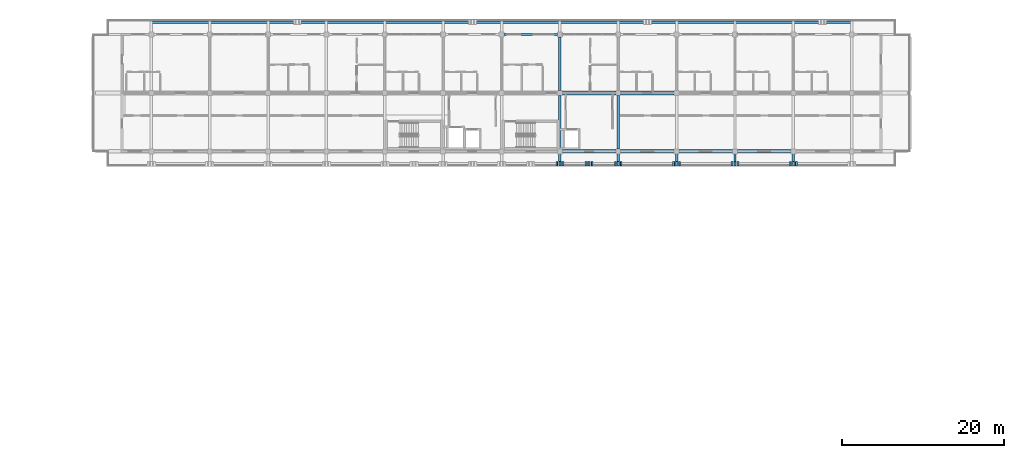
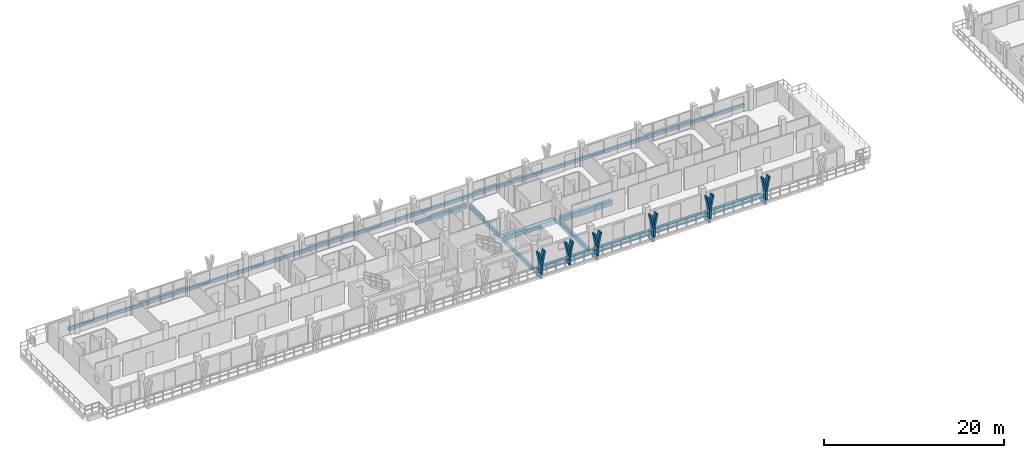
# One storey, part 14 of 67: 18 members, 16 beams.
"""IFC4 building model written with IfcOpenShell, lengths in metres."""

from ifc_helpers import new_model, si_unit, direction, frame, origin, origin_2d, place, context, subcontext, project, spatial, rectangle, extrude, material, material_profile, profile_set, type_object, element, save


model = new_model("IFC4")

# Units and contexts
model_context = context("Model", 3, precision=1e-05, world=origin(), true_north=direction((0.0, 1.0)))
body_context = subcontext(model_context, "Body", "Model", "MODEL_VIEW")
ifc_project = project(units=[si_unit("LENGTHUNIT", "METRE"), si_unit("AREAUNIT", "SQUARE_METRE"), si_unit("VOLUMEUNIT", "CUBIC_METRE"), si_unit("PLANEANGLEUNIT", "RADIAN"), si_unit("MASSUNIT", "GRAM", prefix="KILO")], contexts=[model_context])

# Site, building, storey
site_placement = place(None, origin())
site = spatial("IfcSite", under=ifc_project, at=site_placement, CompositionType="ELEMENT")
building_placement = place(site_placement, origin())
building = spatial("IfcBuilding", under=site, at=building_placement, Name="Suanplinth Sawtooth Commons", CompositionType="ELEMENT")
storey_placement = place(building_placement, frame((0.0, 0.0, 25.10009765625)))
storey = spatial("IfcBuildingStorey", under=building, at=storey_placement, Name="L07", CompositionType="ELEMENT", Elevation=25.10009765625)

# Beams
ifc_material_1 = material(Name="Precast concrete C40/50", Category="concrete")
ifc_material_profile_1 = material_profile(ifc_material_1, rectangle(XDim=0.449951171875, YDim=0.64990234375, at=origin_2d()), Name="PC-GDR 450x650")
ifc_profile_set_1 = profile_set([ifc_material_profile_1], Name="Precast concrete C40/50")
beam_type_1 = type_object("IfcBeamType", Name="B-04", PredefinedType="USERDEFINED", material=ifc_profile_set_1)
for number, where, z_axis, x_axis, name in (
    (1, (65.10009765625, 108.0, -0.545166015625), (1.0, 0.0, 0.0), (0.0, 1.0, 0.0), "BMX-L07-A-9-15"),
    (2, (65.10009765625, 115.199951171875, -0.545166015625), (1.0, 0.0, 0.0), (0.0, 1.0, 0.0), "BMX-L07-A-9-16"),
    (3, (72.300048828125, 108.0, -0.545166015625), (1.0, 0.0, 0.0), (0.0, 1.0, 0.0), "BMX-L07-A-10-15"),
    (4, (72.300048828125, 115.199951171875, -0.545166015625), (1.0, 0.0, 0.0), (0.0, 1.0, 0.0), "BMX-L07-A-10-16"),
):
    element("IfcBeam", number, at=place(storey_placement, frame(where, z_axis=z_axis, x_axis=x_axis)), inside=storey, type_object=beam_type_1, Name=name, ObjectType="GIRDER", PredefinedType="USERDEFINED", context=body_context, shape_type="SweptSolid", body=[
        extrude(rectangle(XDim=0.449951171875, YDim=0.64990234375, at=origin_2d()), origin(), (0.0, 0.0, 1.0), 6.599853515625),
    ])
for number, where, z_axis, x_axis, name in (
    (5, (79.5, 108.0, -0.545166015625), (1.0, 0.0, 0.0), (0.0, 1.0, 0.0), "BMX-L07-A-11-15"),
    (6, (86.699951171875, 108.0, -0.545166015625), (1.0, 0.0, 0.0), (0.0, 1.0, 0.0), "BMX-L07-A-12-15"),
):
    element("IfcBeam", number, at=place(storey_placement, frame(where, z_axis=z_axis, x_axis=x_axis)), inside=storey, type_object=beam_type_1, Name=name, ObjectType="GIRDER", PredefinedType="USERDEFINED", context=body_context, shape_type="SweptSolid", body=[
        extrude(rectangle(XDim=0.449951171875, YDim=0.64990234375, at=origin_2d()), origin(), (0.0, 0.0, 1.0), 6.60009765625),
    ])
ifc_material_profile_2 = material_profile(ifc_material_1, rectangle(XDim=0.300048828125, YDim=0.5, at=origin_2d()), Name="PC-BM 300x500")
ifc_profile_set_2 = profile_set([ifc_material_profile_2], Name="Precast concrete C40/50")
beam_type_2 = type_object("IfcBeamType", Name="B-07", PredefinedType="BEAM", material=ifc_profile_set_2)
beam_1_placement = place(storey_placement, frame((64.800048828125, 108.300048828125, -0.47021484375), z_axis=(0.0, 1.0, 0.0), x_axis=(-1.0, 0.0, 0.0)))
element("IfcBeam", 7, at=beam_1_placement, inside=storey, type_object=beam_type_2, Name="BMY-L07-A-9-15", PredefinedType="BEAM", context=body_context, shape_type="SweptSolid", body=[
    extrude(rectangle(XDim=0.300048828125, YDim=0.5, at=origin_2d()), origin(), (0.0, 0.0, 1.0), 6.599853515625),
])
beam_2_placement = place(storey_placement, frame((64.800048828125, 115.5, -0.47021484375), z_axis=(0.0, 1.0, 0.0), x_axis=(-1.0, 0.0, 0.0)))
element("IfcBeam", 8, at=beam_2_placement, inside=storey, type_object=beam_type_2, Name="BMY-L07-A-9-16", PredefinedType="BEAM", context=body_context, shape_type="SweptSolid", body=[
    extrude(rectangle(XDim=0.300048828125, YDim=0.5, at=origin_2d()), origin(), (0.0, 0.0, 1.0), 6.60009765625),
])
beam_3_placement = place(storey_placement, frame((72.0, 108.300048828125, -0.47021484375), z_axis=(0.0, 1.0, 0.0), x_axis=(-1.0, 0.0, 0.0)))
element("IfcBeam", 9, at=beam_3_placement, inside=storey, type_object=beam_type_2, Name="BMY-L07-A-10-15", PredefinedType="BEAM", context=body_context, shape_type="SweptSolid", body=[
    extrude(rectangle(XDim=0.300048828125, YDim=0.5, at=origin_2d()), origin(), (0.0, 0.0, 1.0), 6.599853515625),
])
for number, where, z_axis, x_axis, name in (
    (10, (64.800048828125, 108.0, -0.43017578125), (0.0, -1.0, 0.0), (1.0, 0.0, 0.0), "Balcony Outrigger L07-A-S-9"),
    (11, (72.0, 108.0, -0.43017578125), (0.0, -1.0, 0.0), (1.0, 0.0, 0.0), "Balcony Outrigger L07-A-S-10"),
    (12, (79.199951171875, 108.0, -0.43017578125), (0.0, -1.0, 0.0), (1.0, 0.0, 0.0), "Balcony Outrigger L07-A-S-11"),
    (13, (86.39990234375, 108.0, -0.43017578125), (0.0, -1.0, 0.0), (1.0, 0.0, 0.0), "Balcony Outrigger L07-A-S-12"),
    (14, (93.60009765625, 108.0, -0.43017578125), (0.0, -1.0, 0.0), (1.0, 0.0, 0.0), "Balcony Outrigger L07-A-S-13"),
):
    element("IfcBeam", number, at=place(storey_placement, frame(where, z_axis=z_axis, x_axis=x_axis)), inside=storey, type_object=beam_type_2, Name=name, PredefinedType="BEAM", context=body_context, shape_type="SweptSolid", body=[
        extrude(rectangle(XDim=0.300048828125, YDim=0.5, at=origin_2d()), origin(), (0.0, 0.0, 1.0), 1.639892578125),
    ])
ifc_material_profile_3 = material_profile(ifc_material_1, rectangle(XDim=0.25, YDim=0.449951171875, at=origin_2d()), Name="PC-SP 250x450")
ifc_profile_set_3 = profile_set([ifc_material_profile_3], Name="Precast concrete C40/50")
beam_type_3 = type_object("IfcBeamType", Name="B-09", PredefinedType="SPANDREL", material=ifc_profile_set_3)
beam_4_placement = place(storey_placement, frame((57.89990234375, 122.39990234375, -0.445068359375), z_axis=(1.0, 0.0, 0.0), x_axis=(0.0, 1.0, 0.0)))
element("IfcBeam", 15, at=beam_4_placement, inside=storey, type_object=beam_type_3, Name="BMX-L07-A-8-17", PredefinedType="SPANDREL", context=body_context, shape_type="SweptSolid", body=[
    extrude(rectangle(XDim=0.25, YDim=0.449951171875, at=origin_2d()), origin(), (0.0, 0.0, 1.0), 6.60009765625),
])
beam_5_placement = place(storey_placement, frame((14.25, 123.919921875, -0.405029296875), z_axis=(1.0, 0.0, 0.0), x_axis=(0.0, 1.0, 0.0)))
element("IfcBeam", 16, at=beam_5_placement, inside=storey, type_object=beam_type_3, Name="Balcony Edge Fascia L07-A-N", PredefinedType="SPANDREL", context=body_context, shape_type="SweptSolid", body=[
    extrude(rectangle(XDim=0.25, YDim=0.449951171875, at=origin_2d()), origin(), (0.0, 0.0, 1.0), 86.699951171875),
])

# Members
ifc_material_2 = material(Name="Pigmented precast concrete C40/50", Category="concrete")
ifc_material_profile_4 = material_profile(ifc_material_2, rectangle(XDim=0.260009765625, YDim=0.550048828125, at=origin_2d()), Name="PC-FIN 260x550")
ifc_profile_set_4 = profile_set([ifc_material_profile_4], Name="Pigmented precast concrete C40/50")
member_type_1 = type_object("IfcMemberType", Name="M-09", PredefinedType="USERDEFINED", material=ifc_profile_set_4)
for number, where, z_axis, x_axis, name in (
    (17, (64.800048828125, 106.47998046875, 0.0), (0.0, 0.0, 1.0), (1.0, 0.0, 0.0), "Y-Blade Stem L07-A-S-15"),
    (18, (68.39990234375, 106.47998046875, 0.0), (0.0, 0.0, 1.0), (1.0, 0.0, 0.0), "Y-Blade Stem L07-A-S-16"),
    (19, (72.0, 106.47998046875, 0.0), (0.0, 0.0, 1.0), (1.0, 0.0, 0.0), "Y-Blade Stem L07-A-S-17"),
    (20, (79.199951171875, 106.47998046875, 0.0), (0.0, 0.0, 1.0), (1.0, 0.0, 0.0), "Y-Blade Stem L07-A-S-18"),
    (21, (86.39990234375, 106.47998046875, 0.0), (0.0, 0.0, 1.0), (1.0, 0.0, 0.0), "Y-Blade Stem L07-A-S-19"),
    (22, (93.60009765625, 106.47998046875, 0.0), (0.0, 0.0, 1.0), (1.0, 0.0, 0.0), "Y-Blade Stem L07-A-S-20"),
):
    element("IfcMember", number, at=place(storey_placement, frame(where, z_axis=z_axis, x_axis=x_axis)), inside=storey, type_object=member_type_1, Name=name, ObjectType="SHADING FIN", PredefinedType="USERDEFINED", context=body_context, shape_type="SweptSolid", body=[
        extrude(rectangle(XDim=0.260009765625, YDim=0.550048828125, at=origin_2d()), origin(), (0.0, 0.0, 1.0), 1.169921875),
    ])
ifc_material_profile_5 = material_profile(ifc_material_2, rectangle(XDim=0.219970703125, YDim=0.550048828125, at=origin_2d()), Name="PC-FIN 220x550")
ifc_profile_set_5 = profile_set([ifc_material_profile_5], Name="Pigmented precast concrete C40/50")
member_type_2 = type_object("IfcMemberType", Name="M-10", PredefinedType="USERDEFINED", material=ifc_profile_set_5)
member_1_placement = place(storey_placement, frame((64.800048828125, 106.47998046875, 1.1298828125), z_axis=(-0.196431120402, 0.0, 0.980517626021), x_axis=(0.980517626021, 0.0, 0.196431120402)))
element("IfcMember", 23, at=member_1_placement, inside=storey, type_object=member_type_2, Name="Y-Blade Arm L L07-A-S-15", ObjectType="SHADING FIN", PredefinedType="USERDEFINED", context=body_context, shape_type="SweptSolid", body=[
    extrude(rectangle(XDim=0.219970703125, YDim=0.550048828125, at=origin_2d()), origin(), (0.0, 0.0, 1.0), 1.937744140625),
])
for number, where, z_axis, x_axis, name in (
    (24, (64.800048828125, 106.47998046875, 1.1298828125), (0.196309979414, 0.0, 0.980541886909), (-0.980541886909, 0.0, 0.196309979414), "Y-Blade Arm R L07-A-S-15"),
    (25, (68.39990234375, 106.47998046875, 1.1298828125), (-0.196309979414, 0.0, 0.980541886909), (0.980541886909, 0.0, 0.196309979414), "Y-Blade Arm L L07-A-S-16"),
):
    element("IfcMember", number, at=place(storey_placement, frame(where, z_axis=z_axis, x_axis=x_axis)), inside=storey, type_object=member_type_2, Name=name, ObjectType="SHADING FIN", PredefinedType="USERDEFINED", context=body_context, shape_type="SweptSolid", body=[
        extrude(rectangle(XDim=0.219970703125, YDim=0.550048828125, at=origin_2d()), origin(), (0.0, 0.0, 1.0), 1.9375),
    ])
for number, where, z_axis, x_axis, name in (
    (26, (68.39990234375, 106.47998046875, 1.1298828125), (0.196431120402, 0.0, 0.980517626021), (-0.980517626021, 0.0, 0.196431120402), "Y-Blade Arm R L07-A-S-16"),
    (27, (72.0, 106.47998046875, 1.1298828125), (-0.196431120402, 0.0, 0.980517626021), (0.980517626021, 0.0, 0.196431120402), "Y-Blade Arm L L07-A-S-17"),
    (28, (72.0, 106.47998046875, 1.1298828125), (0.196431120402, 0.0, 0.980517626021), (-0.980517626021, 0.0, 0.196431120402), "Y-Blade Arm R L07-A-S-17"),
):
    element("IfcMember", number, at=place(storey_placement, frame(where, z_axis=z_axis, x_axis=x_axis)), inside=storey, type_object=member_type_2, Name=name, ObjectType="SHADING FIN", PredefinedType="USERDEFINED", context=body_context, shape_type="SweptSolid", body=[
        extrude(rectangle(XDim=0.219970703125, YDim=0.550048828125, at=origin_2d()), origin(), (0.0, 0.0, 1.0), 1.937744140625),
    ])
member_2_placement = place(storey_placement, frame((79.199951171875, 106.47998046875, 1.1298828125), z_axis=(-0.196309979414, 0.0, 0.980541886909), x_axis=(0.980541886909, 0.0, 0.196309979414)))
element("IfcMember", 29, at=member_2_placement, inside=storey, type_object=member_type_2, Name="Y-Blade Arm L L07-A-S-18", ObjectType="SHADING FIN", PredefinedType="USERDEFINED", context=body_context, shape_type="SweptSolid", body=[
    extrude(rectangle(XDim=0.219970703125, YDim=0.550048828125, at=origin_2d()), origin(), (0.0, 0.0, 1.0), 1.9375),
])
member_3_placement = place(storey_placement, frame((79.199951171875, 106.47998046875, 1.1298828125), z_axis=(0.196431120402, 0.0, 0.980517626021), x_axis=(-0.980517626021, 0.0, 0.196431120402)))
element("IfcMember", 30, at=member_3_placement, inside=storey, type_object=member_type_2, Name="Y-Blade Arm R L07-A-S-18", ObjectType="SHADING FIN", PredefinedType="USERDEFINED", context=body_context, shape_type="SweptSolid", body=[
    extrude(rectangle(XDim=0.219970703125, YDim=0.550048828125, at=origin_2d()), origin(), (0.0, 0.0, 1.0), 1.937744140625),
])
member_4_placement = place(storey_placement, frame((86.39990234375, 106.47998046875, 1.1298828125), z_axis=(-0.196309979414, 0.0, 0.980541886909), x_axis=(0.980541886909, 0.0, 0.196309979414)))
element("IfcMember", 31, at=member_4_placement, inside=storey, type_object=member_type_2, Name="Y-Blade Arm L L07-A-S-19", ObjectType="SHADING FIN", PredefinedType="USERDEFINED", context=body_context, shape_type="SweptSolid", body=[
    extrude(rectangle(XDim=0.219970703125, YDim=0.550048828125, at=origin_2d()), origin(), (0.0, 0.0, 1.0), 1.9375),
])
for number, where, z_axis, x_axis, name in (
    (32, (86.39990234375, 106.47998046875, 1.1298828125), (0.196431120402, 0.0, 0.980517626021), (-0.980517626021, 0.0, 0.196431120402), "Y-Blade Arm R L07-A-S-19"),
    (33, (93.60009765625, 106.47998046875, 1.1298828125), (-0.196431120402, 0.0, 0.980517626021), (0.980517626021, 0.0, 0.196431120402), "Y-Blade Arm L L07-A-S-20"),
):
    element("IfcMember", number, at=place(storey_placement, frame(where, z_axis=z_axis, x_axis=x_axis)), inside=storey, type_object=member_type_2, Name=name, ObjectType="SHADING FIN", PredefinedType="USERDEFINED", context=body_context, shape_type="SweptSolid", body=[
        extrude(rectangle(XDim=0.219970703125, YDim=0.550048828125, at=origin_2d()), origin(), (0.0, 0.0, 1.0), 1.937744140625),
    ])
member_5_placement = place(storey_placement, frame((93.60009765625, 106.47998046875, 1.1298828125), z_axis=(0.196309979414, 0.0, 0.980541886909), x_axis=(-0.980541886909, 0.0, 0.196309979414)))
element("IfcMember", 34, at=member_5_placement, inside=storey, type_object=member_type_2, Name="Y-Blade Arm R L07-A-S-20", ObjectType="SHADING FIN", PredefinedType="USERDEFINED", context=body_context, shape_type="SweptSolid", body=[
    extrude(rectangle(XDim=0.219970703125, YDim=0.550048828125, at=origin_2d()), origin(), (0.0, 0.0, 1.0), 1.9375),
])

save(model, "model.ifc")
